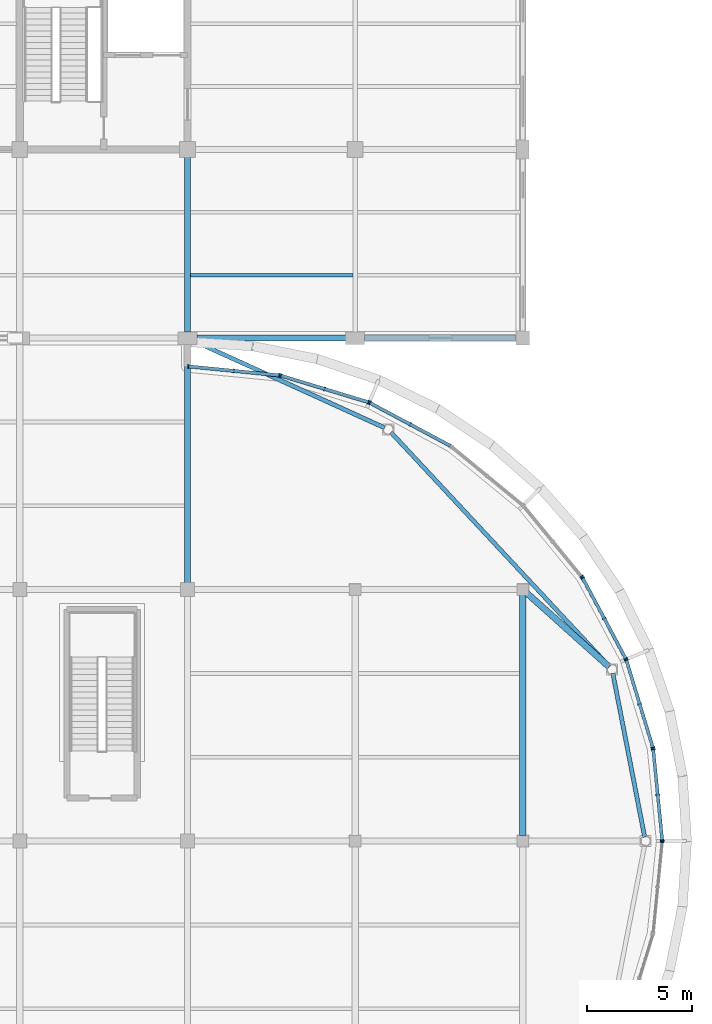
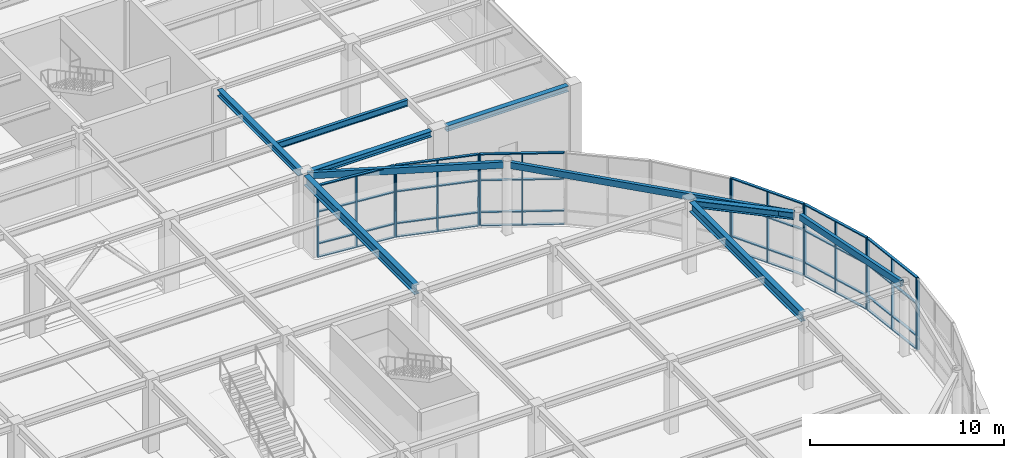
# One storey, part 31 of 72: 43 members, 10 beams, 8 elements without a shape of their own.
"""IFC4 building model written with IfcOpenShell, lengths in metres."""

from ifc_helpers import new_model, si_unit, direction, frame, origin, origin_2d, place, context, subcontext, project, spatial, rectangle, hollow_rectangle, i_section, extrude, material, layer, layer_set, material_profile, profile_set, type_object, element, aggregate, save


model = new_model("IFC4")

# Units and contexts
model_context = context("Model", 3, precision=1e-05, world=origin(), true_north=direction((0.0, 1.0)))
body_context = subcontext(model_context, "Body", "Model", "MODEL_VIEW")
ifc_project = project(units=[si_unit("LENGTHUNIT", "METRE"), si_unit("AREAUNIT", "SQUARE_METRE"), si_unit("VOLUMEUNIT", "CUBIC_METRE"), si_unit("PLANEANGLEUNIT", "RADIAN"), si_unit("MASSUNIT", "GRAM", prefix="KILO")], contexts=[model_context])

# Site, building, storey
site_placement = place(None, origin())
site = spatial("IfcSite", under=ifc_project, at=site_placement, CompositionType="ELEMENT")
building_placement = place(site_placement, origin())
building = spatial("IfcBuilding", under=site, at=building_placement, Name="Keelwater Ferry Terminal", CompositionType="ELEMENT")
storey_placement = place(building_placement, frame((0.0, 0.0, 5.39990234375)))
storey = spatial("IfcBuildingStorey", under=building, at=storey_placement, Name="L01", CompositionType="ELEMENT", Elevation=5.39990234375)

# Curtain wall, member
ifc_material_1 = material(Name="Thermally broken unitised aluminium and triple glass", Category="aluminium")
ifc_layer = layer(ifc_material_1, 0.179931640625)
ifc_layer_set = layer_set([ifc_layer], Name="Thermally broken unitised aluminium and triple glass")
curtain_wall_type = type_object("IfcCurtainWallType", Name="CW-19 Unitised Curtain Wall 4350x4480", PredefinedType="USERDEFINED", material=ifc_layer_set)
curtain_wall_1_placement = place(storey_placement, origin())
curtain_wall_1 = element("IfcCurtainWall", 1, at=curtain_wall_1_placement, inside=storey, type_object=curtain_wall_type, Name="Unitised Curtain Wall CW-L01-132", ObjectType="UNITISED CURTAIN WALL", PredefinedType="USERDEFINED")
ifc_material_2 = material(Name="Aluminium mullion", Category="aluminium")
ifc_material_profile_1 = material_profile(ifc_material_2, rectangle(XDim=0.06494140625, YDim=0.179931640625, at=origin_2d()), Name="CWM-01")
ifc_profile_set_1 = profile_set([ifc_material_profile_1], Name="Aluminium mullion")
member_type_1 = type_object("IfcMemberType", Name="CWM-01 Curtain Mullion 65x180", PredefinedType="MULLION", material=ifc_profile_set_1)
member_1_placement = place(storey_placement, frame((186.64599609375, 65.955078125, 0.0), z_axis=(0.0, 0.0, 1.0), x_axis=(0.098160737969, 0.995170573079, 0.0)))
member_1 = element("IfcMember", 2, at=member_1_placement, type_object=member_type_1, Name="CW-L01-132 Mullion 3", PredefinedType="MULLION", context=body_context, shape_type="SweptSolid", body=[
    extrude(rectangle(XDim=0.06494140625, YDim=0.179931640625, at=origin_2d()), origin(), (0.0, 0.0, 1.0), 4.47998046875),
])
aggregate(curtain_wall_1, [member_1])

# Curtain wall, members
curtain_wall_2_placement = place(storey_placement, origin())
curtain_wall_2 = element("IfcCurtainWall", 3, at=curtain_wall_2_placement, inside=storey, type_object=curtain_wall_type, Name="Unitised Curtain Wall CW-L01-133", ObjectType="UNITISED CURTAIN WALL", PredefinedType="USERDEFINED")
member_2_placement = place(storey_placement, frame((186.64599609375, 66.044921875, 0.0), z_axis=(0.0, 0.0, 1.0), x_axis=(-0.098160737969, 0.995170573079, 0.0)))
member_2 = element("IfcMember", 4, at=member_2_placement, type_object=member_type_1, Name="CW-L01-133 Mullion 1", PredefinedType="MULLION", context=body_context, shape_type="SweptSolid", body=[
    extrude(rectangle(XDim=0.06494140625, YDim=0.179931640625, at=origin_2d()), origin(), (0.0, 0.0, 1.0), 4.47998046875),
])
member_3_placement = place(storey_placement, frame((186.4326171875, 68.20947265625, 0.0), z_axis=(0.0, 0.0, 1.0), x_axis=(-0.098160737969, 0.995170573079, 0.0)))
member_3 = element("IfcMember", 5, at=member_3_placement, type_object=member_type_1, Name="CW-L01-133 Mullion 2", PredefinedType="MULLION", context=body_context, shape_type="SweptSolid", body=[
    extrude(rectangle(XDim=0.06494140625, YDim=0.179931640625, at=origin_2d()), origin(), (0.0, 0.0, 1.0), 4.47998046875),
])
member_4_placement = place(storey_placement, frame((186.218994140625, 70.3740234375, 0.0), z_axis=(0.0, 0.0, 1.0), x_axis=(-0.098160737969, 0.995170573079, 0.0)))
member_4 = element("IfcMember", 6, at=member_4_placement, type_object=member_type_1, Name="CW-L01-133 Mullion 3", PredefinedType="MULLION", context=body_context, shape_type="SweptSolid", body=[
    extrude(rectangle(XDim=0.06494140625, YDim=0.179931640625, at=origin_2d()), origin(), (0.0, 0.0, 1.0), 4.47998046875),
])

curtain_wall_3_placement = place(storey_placement, origin())
curtain_wall_3 = element("IfcCurtainWall", 7, at=curtain_wall_3_placement, inside=storey, type_object=curtain_wall_type, Name="Unitised Curtain Wall CW-L01-134", ObjectType="UNITISED CURTAIN WALL", PredefinedType="USERDEFINED")
member_5_placement = place(storey_placement, frame((186.201904296875, 70.4619140625, 0.0), z_axis=(0.0, 0.0, 1.0), x_axis=(-0.290319989003, 0.956929623319, 0.0)))
member_5 = element("IfcMember", 8, at=member_5_placement, type_object=member_type_1, Name="CW-L01-134 Mullion 1", PredefinedType="MULLION", context=body_context, shape_type="SweptSolid", body=[
    extrude(rectangle(XDim=0.06494140625, YDim=0.179931640625, at=origin_2d()), origin(), (0.0, 0.0, 1.0), 4.47998046875),
])
member_6_placement = place(storey_placement, frame((185.570556640625, 72.54345703125, 0.0), z_axis=(0.0, 0.0, 1.0), x_axis=(-0.290319989003, 0.956929623319, 0.0)))
member_6 = element("IfcMember", 9, at=member_6_placement, type_object=member_type_1, Name="CW-L01-134 Mullion 2", PredefinedType="MULLION", context=body_context, shape_type="SweptSolid", body=[
    extrude(rectangle(XDim=0.06494140625, YDim=0.179931640625, at=origin_2d()), origin(), (0.0, 0.0, 1.0), 4.47998046875),
])
member_7_placement = place(storey_placement, frame((184.93896484375, 74.625, 0.0), z_axis=(0.0, 0.0, 1.0), x_axis=(-0.290319989003, 0.956929623319, 0.0)))
member_7 = element("IfcMember", 10, at=member_7_placement, type_object=member_type_1, Name="CW-L01-134 Mullion 3", PredefinedType="MULLION", context=body_context, shape_type="SweptSolid", body=[
    extrude(rectangle(XDim=0.06494140625, YDim=0.179931640625, at=origin_2d()), origin(), (0.0, 0.0, 1.0), 4.47998046875),
])

curtain_wall_4_placement = place(storey_placement, origin())
curtain_wall_4 = element("IfcCurtainWall", 11, at=curtain_wall_4_placement, inside=storey, type_object=curtain_wall_type, Name="Unitised Curtain Wall CW-L01-135", ObjectType="UNITISED CURTAIN WALL", PredefinedType="USERDEFINED")
member_8_placement = place(storey_placement, frame((184.905029296875, 74.7080078125, 0.0), z_axis=(0.0, 0.0, 1.0), x_axis=(-0.471506749303, 0.881862452632, 0.0)))
member_8 = element("IfcMember", 12, at=member_8_placement, type_object=member_type_1, Name="CW-L01-135 Mullion 1", PredefinedType="MULLION", context=body_context, shape_type="SweptSolid", body=[
    extrude(rectangle(XDim=0.06494140625, YDim=0.179931640625, at=origin_2d()), origin(), (0.0, 0.0, 1.0), 4.47998046875),
])
member_9_placement = place(storey_placement, frame((183.87939453125, 76.6259765625, 0.0), z_axis=(0.0, 0.0, 1.0), x_axis=(-0.471506749303, 0.881862452632, 0.0)))
member_9 = element("IfcMember", 13, at=member_9_placement, type_object=member_type_1, Name="CW-L01-135 Mullion 2", PredefinedType="MULLION", context=body_context, shape_type="SweptSolid", body=[
    extrude(rectangle(XDim=0.06494140625, YDim=0.179931640625, at=origin_2d()), origin(), (0.0, 0.0, 1.0), 4.47998046875),
])
member_10_placement = place(storey_placement, frame((182.85400390625, 78.5439453125, 0.0), z_axis=(0.0, 0.0, 1.0), x_axis=(-0.471506749303, 0.881862452632, 0.0)))
member_10 = element("IfcMember", 14, at=member_10_placement, type_object=member_type_1, Name="CW-L01-135 Mullion 3", PredefinedType="MULLION", context=body_context, shape_type="SweptSolid", body=[
    extrude(rectangle(XDim=0.06494140625, YDim=0.179931640625, at=origin_2d()), origin(), (0.0, 0.0, 1.0), 4.47998046875),
])

# Curtain wall, member
curtain_wall_5_placement = place(storey_placement, origin())
curtain_wall_5 = element("IfcCurtainWall", 15, at=curtain_wall_5_placement, inside=storey, type_object=curtain_wall_type, Name="Unitised Curtain Wall CW-L01-136", ObjectType="UNITISED CURTAIN WALL", PredefinedType="USERDEFINED")
member_11_placement = place(storey_placement, frame((182.803955078125, 78.618896484375, 0.0), z_axis=(0.0, 0.0, 1.0), x_axis=(-0.634376508991, 0.773024220086, 0.0)))
member_11 = element("IfcMember", 16, at=member_11_placement, type_object=member_type_1, Name="CW-L01-136 Mullion 1", PredefinedType="MULLION", context=body_context, shape_type="SweptSolid", body=[
    extrude(rectangle(XDim=0.06494140625, YDim=0.179931640625, at=origin_2d()), origin(), (0.0, 0.0, 1.0), 4.47998046875),
])
aggregate(curtain_wall_5, [member_11])

# Curtain wall, members
curtain_wall_6_placement = place(storey_placement, origin())
curtain_wall_6 = element("IfcCurtainWall", 17, at=curtain_wall_6_placement, inside=storey, type_object=curtain_wall_type, Name="Unitised Curtain Wall CW-L01-138", ObjectType="UNITISED CURTAIN WALL", PredefinedType="USERDEFINED")
member_12_placement = place(storey_placement, frame((174.6259765625, 85.87939453125, 0.0), z_axis=(0.0, 0.0, 1.0), x_axis=(-0.881862452632, 0.471506749303, 0.0)))
member_12 = element("IfcMember", 18, at=member_12_placement, type_object=member_type_1, Name="CW-L01-138 Mullion 2", PredefinedType="MULLION", context=body_context, shape_type="SweptSolid", body=[
    extrude(rectangle(XDim=0.06494140625, YDim=0.179931640625, at=origin_2d()), origin(), (0.0, 0.0, 1.0), 4.47998046875),
])
member_13_placement = place(storey_placement, frame((172.7080078125, 86.905029296875, 0.0), z_axis=(0.0, 0.0, 1.0), x_axis=(-0.881862452632, 0.471506749303, 0.0)))
member_13 = element("IfcMember", 19, at=member_13_placement, type_object=member_type_1, Name="CW-L01-138 Mullion 3", PredefinedType="MULLION", context=body_context, shape_type="SweptSolid", body=[
    extrude(rectangle(XDim=0.06494140625, YDim=0.179931640625, at=origin_2d()), origin(), (0.0, 0.0, 1.0), 4.47998046875),
])

curtain_wall_7_placement = place(storey_placement, origin())
curtain_wall_7 = element("IfcCurtainWall", 20, at=curtain_wall_7_placement, inside=storey, type_object=curtain_wall_type, Name="Unitised Curtain Wall CW-L01-139", ObjectType="UNITISED CURTAIN WALL", PredefinedType="USERDEFINED")
member_14_placement = place(storey_placement, frame((172.625, 86.93896484375, 0.0), z_axis=(0.0, 0.0, 1.0), x_axis=(-0.956929623319, 0.290319989003, 0.0)))
member_14 = element("IfcMember", 21, at=member_14_placement, type_object=member_type_1, Name="CW-L01-139 Mullion 1", PredefinedType="MULLION", context=body_context, shape_type="SweptSolid", body=[
    extrude(rectangle(XDim=0.06494140625, YDim=0.179931640625, at=origin_2d()), origin(), (0.0, 0.0, 1.0), 4.47998046875),
])
member_15_placement = place(storey_placement, frame((170.54345703125, 87.570556640625, 0.0), z_axis=(0.0, 0.0, 1.0), x_axis=(-0.956929623319, 0.290319989003, 0.0)))
member_15 = element("IfcMember", 22, at=member_15_placement, type_object=member_type_1, Name="CW-L01-139 Mullion 2", PredefinedType="MULLION", context=body_context, shape_type="SweptSolid", body=[
    extrude(rectangle(XDim=0.06494140625, YDim=0.179931640625, at=origin_2d()), origin(), (0.0, 0.0, 1.0), 4.47998046875),
])
member_16_placement = place(storey_placement, frame((168.4619140625, 88.201904296875, 0.0), z_axis=(0.0, 0.0, 1.0), x_axis=(-0.956929623319, 0.290319989003, 0.0)))
member_16 = element("IfcMember", 23, at=member_16_placement, type_object=member_type_1, Name="CW-L01-139 Mullion 3", PredefinedType="MULLION", context=body_context, shape_type="SweptSolid", body=[
    extrude(rectangle(XDim=0.06494140625, YDim=0.179931640625, at=origin_2d()), origin(), (0.0, 0.0, 1.0), 4.47998046875),
])

curtain_wall_8_placement = place(storey_placement, origin())
curtain_wall_8 = element("IfcCurtainWall", 24, at=curtain_wall_8_placement, inside=storey, type_object=curtain_wall_type, Name="Unitised Curtain Wall CW-L01-140", ObjectType="UNITISED CURTAIN WALL", PredefinedType="USERDEFINED")
member_17_placement = place(storey_placement, frame((168.3740234375, 88.218994140625, 0.0), z_axis=(0.0, 0.0, 1.0), x_axis=(-0.995170573079, 0.098160737969, 0.0)))
member_17 = element("IfcMember", 25, at=member_17_placement, type_object=member_type_1, Name="CW-L01-140 Mullion 1", PredefinedType="MULLION", context=body_context, shape_type="SweptSolid", body=[
    extrude(rectangle(XDim=0.06494140625, YDim=0.179931640625, at=origin_2d()), origin(), (0.0, 0.0, 1.0), 4.47998046875),
])
member_18_placement = place(storey_placement, frame((166.20947265625, 88.4326171875, 0.0), z_axis=(0.0, 0.0, 1.0), x_axis=(-0.995170573079, 0.098160737969, 0.0)))
member_18 = element("IfcMember", 26, at=member_18_placement, type_object=member_type_1, Name="CW-L01-140 Mullion 2", PredefinedType="MULLION", context=body_context, shape_type="SweptSolid", body=[
    extrude(rectangle(XDim=0.06494140625, YDim=0.179931640625, at=origin_2d()), origin(), (0.0, 0.0, 1.0), 4.47998046875),
])
member_19_placement = place(storey_placement, frame((164.044921875, 88.64599609375, 0.0), z_axis=(0.0, 0.0, 1.0), x_axis=(-0.995170573079, 0.098160737969, 0.0)))
member_19 = element("IfcMember", 27, at=member_19_placement, type_object=member_type_1, Name="CW-L01-140 Mullion 3", PredefinedType="MULLION", context=body_context, shape_type="SweptSolid", body=[
    extrude(rectangle(XDim=0.06494140625, YDim=0.179931640625, at=origin_2d()), origin(), (0.0, 0.0, 1.0), 4.47998046875),
])

# Member
ifc_material_3 = material(Name="Aluminium mullion", Category="aluminium")
ifc_material_profile_2 = material_profile(ifc_material_3, rectangle(XDim=0.159912109375, YDim=0.06494140625, at=origin_2d()), Name="CWT-01")
ifc_profile_set_2 = profile_set([ifc_material_profile_2], Name="Aluminium mullion")
member_type_2 = type_object("IfcMemberType", Name="CWT-01 Curtain Transom 65x160", PredefinedType="USERDEFINED", material=ifc_profile_set_2)
member_20_placement = place(storey_placement, frame((186.64599609375, 66.044921875, 0.0), z_axis=(-0.098158901932, 0.995170754178, 0.0), x_axis=(-0.995170754178, -0.098158901932, 0.0)))
member_20 = element("IfcMember", 28, at=member_20_placement, type_object=member_type_2, Name="CW-L01-133 Transom 1", ObjectType="TRANSOM", PredefinedType="USERDEFINED", context=body_context, shape_type="SweptSolid", body=[
    extrude(rectangle(XDim=0.159912109375, YDim=0.06494140625, at=origin_2d()), origin(), (0.0, 0.0, 1.0), 4.35009765625),
])

member_21_placement = place(storey_placement, frame((186.64599609375, 66.044921875, 0.85009765625), z_axis=(-0.098158901932, 0.995170754178, 0.0), x_axis=(-0.995170754178, -0.098158901932, 0.0)))
member_21 = element("IfcMember", 29, at=member_21_placement, type_object=member_type_2, Name="CW-L01-133 Transom 2", ObjectType="TRANSOM", PredefinedType="USERDEFINED", context=body_context, shape_type="SweptSolid", body=[
    extrude(rectangle(XDim=0.159912109375, YDim=0.06494140625, at=origin_2d()), origin(), (0.0, 0.0, 1.0), 4.35009765625),
])

member_22_placement = place(storey_placement, frame((186.64599609375, 66.044921875, 2.85009765625), z_axis=(-0.098158901932, 0.995170754178, 0.0), x_axis=(-0.995170754178, -0.098158901932, 0.0)))
member_22 = element("IfcMember", 30, at=member_22_placement, type_object=member_type_2, Name="CW-L01-133 Transom 3", ObjectType="TRANSOM", PredefinedType="USERDEFINED", context=body_context, shape_type="SweptSolid", body=[
    extrude(rectangle(XDim=0.159912109375, YDim=0.06494140625, at=origin_2d()), origin(), (0.0, 0.0, 1.0), 4.35009765625),
])

member_23_placement = place(storey_placement, frame((186.64599609375, 66.044921875, 4.47998046875), z_axis=(-0.098158901932, 0.995170754178, 0.0), x_axis=(-0.995170754178, -0.098158901932, 0.0)))
member_23 = element("IfcMember", 31, at=member_23_placement, type_object=member_type_2, Name="CW-L01-133 Transom 4", ObjectType="TRANSOM", PredefinedType="USERDEFINED", context=body_context, shape_type="SweptSolid", body=[
    extrude(rectangle(XDim=0.159912109375, YDim=0.06494140625, at=origin_2d()), origin(), (0.0, 0.0, 1.0), 4.35009765625),
])

aggregate(curtain_wall_2, [member_2, member_3, member_4, member_20, member_21, member_22, member_23])

member_24_placement = place(storey_placement, frame((186.201904296875, 70.4619140625, 0.0), z_axis=(-0.290301756665, 0.956935154583, 0.0), x_axis=(-0.956935154583, -0.290301756665, 0.0)))
member_24 = element("IfcMember", 32, at=member_24_placement, type_object=member_type_2, Name="CW-L01-134 Transom 1", ObjectType="TRANSOM", PredefinedType="USERDEFINED", context=body_context, shape_type="SweptSolid", body=[
    extrude(rectangle(XDim=0.159912109375, YDim=0.06494140625, at=origin_2d()), origin(), (0.0, 0.0, 1.0), 4.350341796875),
])

member_25_placement = place(storey_placement, frame((186.201904296875, 70.4619140625, 0.85009765625), z_axis=(-0.290301756665, 0.956935154583, 0.0), x_axis=(-0.956935154583, -0.290301756665, 0.0)))
member_25 = element("IfcMember", 33, at=member_25_placement, type_object=member_type_2, Name="CW-L01-134 Transom 2", ObjectType="TRANSOM", PredefinedType="USERDEFINED", context=body_context, shape_type="SweptSolid", body=[
    extrude(rectangle(XDim=0.159912109375, YDim=0.06494140625, at=origin_2d()), origin(), (0.0, 0.0, 1.0), 4.350341796875),
])

member_26_placement = place(storey_placement, frame((186.201904296875, 70.4619140625, 2.85009765625), z_axis=(-0.290301756665, 0.956935154583, 0.0), x_axis=(-0.956935154583, -0.290301756665, 0.0)))
member_26 = element("IfcMember", 34, at=member_26_placement, type_object=member_type_2, Name="CW-L01-134 Transom 3", ObjectType="TRANSOM", PredefinedType="USERDEFINED", context=body_context, shape_type="SweptSolid", body=[
    extrude(rectangle(XDim=0.159912109375, YDim=0.06494140625, at=origin_2d()), origin(), (0.0, 0.0, 1.0), 4.350341796875),
])

member_27_placement = place(storey_placement, frame((186.201904296875, 70.4619140625, 4.47998046875), z_axis=(-0.290301756665, 0.956935154583, 0.0), x_axis=(-0.956935154583, -0.290301756665, 0.0)))
member_27 = element("IfcMember", 35, at=member_27_placement, type_object=member_type_2, Name="CW-L01-134 Transom 4", ObjectType="TRANSOM", PredefinedType="USERDEFINED", context=body_context, shape_type="SweptSolid", body=[
    extrude(rectangle(XDim=0.159912109375, YDim=0.06494140625, at=origin_2d()), origin(), (0.0, 0.0, 1.0), 4.350341796875),
])

aggregate(curtain_wall_3, [member_5, member_6, member_7, member_24, member_25, member_26, member_27])

member_28_placement = place(storey_placement, frame((184.905029296875, 74.7080078125, 0.0), z_axis=(-0.471517263122, 0.881856831112, 0.0), x_axis=(-0.881856831112, -0.471517263122, 0.0)))
member_28 = element("IfcMember", 36, at=member_28_placement, type_object=member_type_2, Name="CW-L01-135 Transom 1", ObjectType="TRANSOM", PredefinedType="USERDEFINED", context=body_context, shape_type="SweptSolid", body=[
    extrude(rectangle(XDim=0.159912109375, YDim=0.06494140625, at=origin_2d()), origin(), (0.0, 0.0, 1.0), 4.349853515625),
])

member_29_placement = place(storey_placement, frame((184.905029296875, 74.7080078125, 0.85009765625), z_axis=(-0.471517263122, 0.881856831112, 0.0), x_axis=(-0.881856831112, -0.471517263122, 0.0)))
member_29 = element("IfcMember", 37, at=member_29_placement, type_object=member_type_2, Name="CW-L01-135 Transom 2", ObjectType="TRANSOM", PredefinedType="USERDEFINED", context=body_context, shape_type="SweptSolid", body=[
    extrude(rectangle(XDim=0.159912109375, YDim=0.06494140625, at=origin_2d()), origin(), (0.0, 0.0, 1.0), 4.349853515625),
])

member_30_placement = place(storey_placement, frame((184.905029296875, 74.7080078125, 2.85009765625), z_axis=(-0.471517263122, 0.881856831112, 0.0), x_axis=(-0.881856831112, -0.471517263122, 0.0)))
member_30 = element("IfcMember", 38, at=member_30_placement, type_object=member_type_2, Name="CW-L01-135 Transom 3", ObjectType="TRANSOM", PredefinedType="USERDEFINED", context=body_context, shape_type="SweptSolid", body=[
    extrude(rectangle(XDim=0.159912109375, YDim=0.06494140625, at=origin_2d()), origin(), (0.0, 0.0, 1.0), 4.349853515625),
])

member_31_placement = place(storey_placement, frame((184.905029296875, 74.7080078125, 4.47998046875), z_axis=(-0.471517263122, 0.881856831112, 0.0), x_axis=(-0.881856831112, -0.471517263122, 0.0)))
member_31 = element("IfcMember", 39, at=member_31_placement, type_object=member_type_2, Name="CW-L01-135 Transom 4", ObjectType="TRANSOM", PredefinedType="USERDEFINED", context=body_context, shape_type="SweptSolid", body=[
    extrude(rectangle(XDim=0.159912109375, YDim=0.06494140625, at=origin_2d()), origin(), (0.0, 0.0, 1.0), 4.349853515625),
])

aggregate(curtain_wall_4, [member_8, member_9, member_10, member_28, member_29, member_30, member_31])

member_32_placement = place(storey_placement, frame((176.5439453125, 84.85400390625, 0.0), z_axis=(-0.881856831112, 0.471517263122, 0.0), x_axis=(-0.471517263122, -0.881856831112, 0.0)))
member_32 = element("IfcMember", 40, at=member_32_placement, type_object=member_type_2, Name="CW-L01-138 Transom 1", ObjectType="TRANSOM", PredefinedType="USERDEFINED", context=body_context, shape_type="SweptSolid", body=[
    extrude(rectangle(XDim=0.159912109375, YDim=0.06494140625, at=origin_2d()), origin(), (0.0, 0.0, 1.0), 4.349853515625),
])

member_33_placement = place(storey_placement, frame((176.5439453125, 84.85400390625, 0.85009765625), z_axis=(-0.881856831112, 0.471517263122, 0.0), x_axis=(-0.471517263122, -0.881856831112, 0.0)))
member_33 = element("IfcMember", 41, at=member_33_placement, type_object=member_type_2, Name="CW-L01-138 Transom 2", ObjectType="TRANSOM", PredefinedType="USERDEFINED", context=body_context, shape_type="SweptSolid", body=[
    extrude(rectangle(XDim=0.159912109375, YDim=0.06494140625, at=origin_2d()), origin(), (0.0, 0.0, 1.0), 4.349853515625),
])

member_34_placement = place(storey_placement, frame((176.5439453125, 84.85400390625, 2.85009765625), z_axis=(-0.881856831112, 0.471517263122, 0.0), x_axis=(-0.471517263122, -0.881856831112, 0.0)))
member_34 = element("IfcMember", 42, at=member_34_placement, type_object=member_type_2, Name="CW-L01-138 Transom 3", ObjectType="TRANSOM", PredefinedType="USERDEFINED", context=body_context, shape_type="SweptSolid", body=[
    extrude(rectangle(XDim=0.159912109375, YDim=0.06494140625, at=origin_2d()), origin(), (0.0, 0.0, 1.0), 4.349853515625),
])

member_35_placement = place(storey_placement, frame((176.5439453125, 84.85400390625, 4.47998046875), z_axis=(-0.881856831112, 0.471517263122, 0.0), x_axis=(-0.471517263122, -0.881856831112, 0.0)))
member_35 = element("IfcMember", 43, at=member_35_placement, type_object=member_type_2, Name="CW-L01-138 Transom 4", ObjectType="TRANSOM", PredefinedType="USERDEFINED", context=body_context, shape_type="SweptSolid", body=[
    extrude(rectangle(XDim=0.159912109375, YDim=0.06494140625, at=origin_2d()), origin(), (0.0, 0.0, 1.0), 4.349853515625),
])

aggregate(curtain_wall_6, [member_12, member_13, member_32, member_33, member_34, member_35])

member_36_placement = place(storey_placement, frame((172.625, 86.93896484375, 0.0), z_axis=(-0.956935154583, 0.290301756665, 0.0), x_axis=(-0.290301756665, -0.956935154583, 0.0)))
member_36 = element("IfcMember", 44, at=member_36_placement, type_object=member_type_2, Name="CW-L01-139 Transom 1", ObjectType="TRANSOM", PredefinedType="USERDEFINED", context=body_context, shape_type="SweptSolid", body=[
    extrude(rectangle(XDim=0.159912109375, YDim=0.06494140625, at=origin_2d()), origin(), (0.0, 0.0, 1.0), 4.350341796875),
])

member_37_placement = place(storey_placement, frame((172.625, 86.93896484375, 0.85009765625), z_axis=(-0.956935154583, 0.290301756665, 0.0), x_axis=(-0.290301756665, -0.956935154583, 0.0)))
member_37 = element("IfcMember", 45, at=member_37_placement, type_object=member_type_2, Name="CW-L01-139 Transom 2", ObjectType="TRANSOM", PredefinedType="USERDEFINED", context=body_context, shape_type="SweptSolid", body=[
    extrude(rectangle(XDim=0.159912109375, YDim=0.06494140625, at=origin_2d()), origin(), (0.0, 0.0, 1.0), 4.350341796875),
])

member_38_placement = place(storey_placement, frame((172.625, 86.93896484375, 2.85009765625), z_axis=(-0.956935154583, 0.290301756665, 0.0), x_axis=(-0.290301756665, -0.956935154583, 0.0)))
member_38 = element("IfcMember", 46, at=member_38_placement, type_object=member_type_2, Name="CW-L01-139 Transom 3", ObjectType="TRANSOM", PredefinedType="USERDEFINED", context=body_context, shape_type="SweptSolid", body=[
    extrude(rectangle(XDim=0.159912109375, YDim=0.06494140625, at=origin_2d()), origin(), (0.0, 0.0, 1.0), 4.350341796875),
])

member_39_placement = place(storey_placement, frame((172.625, 86.93896484375, 4.47998046875), z_axis=(-0.956935154583, 0.290301756665, 0.0), x_axis=(-0.290301756665, -0.956935154583, 0.0)))
member_39 = element("IfcMember", 47, at=member_39_placement, type_object=member_type_2, Name="CW-L01-139 Transom 4", ObjectType="TRANSOM", PredefinedType="USERDEFINED", context=body_context, shape_type="SweptSolid", body=[
    extrude(rectangle(XDim=0.159912109375, YDim=0.06494140625, at=origin_2d()), origin(), (0.0, 0.0, 1.0), 4.350341796875),
])

aggregate(curtain_wall_7, [member_14, member_15, member_16, member_36, member_37, member_38, member_39])

member_40_placement = place(storey_placement, frame((168.3740234375, 88.218994140625, 0.0), z_axis=(-0.995170754178, 0.098158901932, 0.0), x_axis=(-0.098158901932, -0.995170754178, 0.0)))
member_40 = element("IfcMember", 48, at=member_40_placement, type_object=member_type_2, Name="CW-L01-140 Transom 1", ObjectType="TRANSOM", PredefinedType="USERDEFINED", context=body_context, shape_type="SweptSolid", body=[
    extrude(rectangle(XDim=0.159912109375, YDim=0.06494140625, at=origin_2d()), origin(), (0.0, 0.0, 1.0), 4.35009765625),
])

member_41_placement = place(storey_placement, frame((168.3740234375, 88.218994140625, 0.85009765625), z_axis=(-0.995170754178, 0.098158901932, 0.0), x_axis=(-0.098158901932, -0.995170754178, 0.0)))
member_41 = element("IfcMember", 49, at=member_41_placement, type_object=member_type_2, Name="CW-L01-140 Transom 2", ObjectType="TRANSOM", PredefinedType="USERDEFINED", context=body_context, shape_type="SweptSolid", body=[
    extrude(rectangle(XDim=0.159912109375, YDim=0.06494140625, at=origin_2d()), origin(), (0.0, 0.0, 1.0), 4.35009765625),
])

member_42_placement = place(storey_placement, frame((168.3740234375, 88.218994140625, 2.85009765625), z_axis=(-0.995170754178, 0.098158901932, 0.0), x_axis=(-0.098158901932, -0.995170754178, 0.0)))
member_42 = element("IfcMember", 50, at=member_42_placement, type_object=member_type_2, Name="CW-L01-140 Transom 3", ObjectType="TRANSOM", PredefinedType="USERDEFINED", context=body_context, shape_type="SweptSolid", body=[
    extrude(rectangle(XDim=0.159912109375, YDim=0.06494140625, at=origin_2d()), origin(), (0.0, 0.0, 1.0), 4.35009765625),
])

member_43_placement = place(storey_placement, frame((168.3740234375, 88.218994140625, 4.47998046875), z_axis=(-0.995170754178, 0.098158901932, 0.0), x_axis=(-0.098158901932, -0.995170754178, 0.0)))
member_43 = element("IfcMember", 51, at=member_43_placement, type_object=member_type_2, Name="CW-L01-140 Transom 4", ObjectType="TRANSOM", PredefinedType="USERDEFINED", context=body_context, shape_type="SweptSolid", body=[
    extrude(rectangle(XDim=0.159912109375, YDim=0.06494140625, at=origin_2d()), origin(), (0.0, 0.0, 1.0), 4.35009765625),
])

aggregate(curtain_wall_8, [member_17, member_18, member_19, member_40, member_41, member_42, member_43])

# Beams
ifc_material_4 = material(Name="Steel S355", Category="steel")
ifc_material_profile_3 = material_profile(ifc_material_4, i_section(OverallWidth=0.300048828125, OverallDepth=0.60009765625, WebThickness=0.015380859375, FlangeThickness=0.030029296875, at=origin_2d()), Name="HEB 600")
ifc_profile_set_3 = profile_set([ifc_material_profile_3], Name="Steel S355")
beam_type_1 = type_object("IfcBeamType", Name="G3 HEB 600", PredefinedType="BEAM", material=ifc_profile_set_3)
beam_1_placement = place(storey_placement, frame((164.0, 78.318115234375, 4.22021484375), z_axis=(0.0, 1.0, 0.0), x_axis=(-1.0, 0.0, 0.0)))
element("IfcBeam", 52, at=beam_1_placement, inside=storey, type_object=beam_type_1, Name="Beam BM-L01-0795", PredefinedType="BEAM", context=body_context, shape_type="SweptSolid", body=[
    extrude(i_section(OverallWidth=0.300048828125, OverallDepth=0.60009765625, WebThickness=0.015380859375, FlangeThickness=0.030029296875, at=origin_2d()), origin(), (0.0, 0.0, 1.0), 11.387939453125),
])
ifc_material_5 = material(Name="Steel S355", Category="steel")
ifc_material_profile_4 = material_profile(ifc_material_5, i_section(OverallWidth=0.300048828125, OverallDepth=0.60009765625, WebThickness=0.015380859375, FlangeThickness=0.030029296875, at=origin_2d()), Name="HEB 600")
ifc_profile_set_4 = profile_set([ifc_material_profile_4], Name="Steel S355")
beam_type_2 = type_object("IfcBeamType", Name="G3E HEB 600", PredefinedType="BEAM", material=ifc_profile_set_4)
beam_2_placement = place(storey_placement, frame((180.0, 66.27001953125, 4.22021484375), z_axis=(0.0, 1.0, 0.0), x_axis=(-1.0, 0.0, 0.0)))
element("IfcBeam", 53, at=beam_2_placement, inside=storey, type_object=beam_type_2, Name="Beam BM-L01-0806", PredefinedType="BEAM", context=body_context, shape_type="SweptSolid", body=[
    extrude(i_section(OverallWidth=0.300048828125, OverallDepth=0.60009765625, WebThickness=0.015380859375, FlangeThickness=0.030029296875, at=origin_2d()), origin(), (0.0, 0.0, 1.0), 11.4599609375),
])
ifc_material_6 = material(Name="Steel S355", Category="steel")
ifc_material_profile_5 = material_profile(ifc_material_6, i_section(OverallWidth=0.300048828125, OverallDepth=0.449951171875, WebThickness=0.013916015625, FlangeThickness=0.02587890625, at=origin_2d()), Name="HEB 450")
ifc_profile_set_5 = profile_set([ifc_material_profile_5], Name="Steel S355")
beam_type_3 = type_object("IfcBeamType", Name="G6 HEB 450", PredefinedType="BEAM", material=ifc_profile_set_5)
beam_3_placement = place(storey_placement, frame((184.116943359375, 74.31201171875, 4.295166015625), z_axis=(-0.74488982883, 0.667187487072, 0.0), x_axis=(-0.667187487072, -0.74488982883, 0.0)))
element("IfcBeam", 54, at=beam_3_placement, inside=storey, type_object=beam_type_3, Name="Beam BM-L01-0978", PredefinedType="BEAM", context=body_context, shape_type="SweptSolid", body=[
    extrude(i_section(OverallWidth=0.300048828125, OverallDepth=0.449951171875, WebThickness=0.013916015625, FlangeThickness=0.02587890625, at=origin_2d()), origin(), (0.0, 0.0, 1.0), 5.2880859375),
])
ifc_material_7 = material(Name="Steel S355", Category="steel")
ifc_material_profile_6 = material_profile(ifc_material_7, i_section(OverallWidth=0.300048828125, OverallDepth=0.39990234375, WebThickness=0.013427734375, FlangeThickness=0.02392578125, at=origin_2d()), Name="HEB 400")
ifc_profile_set_6 = profile_set([ifc_material_profile_6], Name="Steel S355")
beam_type_4 = type_object("IfcBeamType", Name="G7 HEB 400", PredefinedType="BEAM", material=ifc_profile_set_6)
beam_4_placement = place(storey_placement, frame((164.0, 90.2939453125, 4.320068359375), z_axis=(0.0, 1.0, 0.0), x_axis=(-1.0, 0.0, 0.0)))
element("IfcBeam", 55, at=beam_4_placement, inside=storey, type_object=beam_type_4, Name="Beam BM-L01-0796", PredefinedType="BEAM", context=body_context, shape_type="SweptSolid", body=[
    extrude(i_section(OverallWidth=0.300048828125, OverallDepth=0.39990234375, WebThickness=0.013427734375, FlangeThickness=0.02392578125, at=origin_2d()), origin(), (0.0, 0.0, 1.0), 8.338134765625),
])
ifc_material_8 = material(Name="Steel S355", Category="steel")
ifc_material_profile_7 = material_profile(ifc_material_8, i_section(OverallWidth=0.179931640625, OverallDepth=0.39990234375, WebThickness=0.008544921875, FlangeThickness=0.013427734375, at=origin_2d()), Name="IPE 400")
ifc_profile_set_7 = profile_set([ifc_material_profile_7], Name="Steel S355")
beam_type_5 = type_object("IfcBeamType", Name="J5 IPE 400", PredefinedType="JOIST", material=ifc_profile_set_7)
beam_5_placement = place(storey_placement, frame((164.14990234375, 93.0, 4.320068359375), z_axis=(1.0, 0.0, 0.0), x_axis=(0.0, 1.0, 0.0)))
element("IfcBeam", 56, at=beam_5_placement, inside=storey, type_object=beam_type_5, Name="Beam BM-L01-0938", PredefinedType="JOIST", context=body_context, shape_type="SweptSolid", body=[
    extrude(i_section(OverallWidth=0.179931640625, OverallDepth=0.39990234375, WebThickness=0.008544921875, FlangeThickness=0.013427734375, at=origin_2d()), origin(), (0.0, 0.0, 1.0), 7.75),
])
ifc_material_9 = material(Name="Steel S355", Category="steel")
ifc_material_profile_8 = material_profile(ifc_material_9, i_section(OverallWidth=0.300048828125, OverallDepth=0.35009765625, WebThickness=0.010009765625, FlangeThickness=0.017578125, at=origin_2d()), Name="HEA 360")
ifc_profile_set_8 = profile_set([ifc_material_profile_8], Name="Steel S355")
beam_type_6 = type_object("IfcBeamType", Name="SP1E HEA 360", PredefinedType="SPANDREL", material=ifc_profile_set_8)
beam_6_placement = place(storey_placement, frame((164.44091796875, 90.0, 4.34521484375), z_axis=(1.0, 0.0, 0.0), x_axis=(0.0, 1.0, 0.0)))
element("IfcBeam", 57, at=beam_6_placement, inside=storey, type_object=beam_type_6, Name="Beam BM-L01-0682", PredefinedType="SPANDREL", context=body_context, shape_type="SweptSolid", body=[
    extrude(i_section(OverallWidth=0.300048828125, OverallDepth=0.35009765625, WebThickness=0.010009765625, FlangeThickness=0.017578125, at=origin_2d()), origin(), (0.0, 0.0, 1.0), 7.1181640625),
])
beam_7_placement = place(storey_placement, frame((172.44091796875, 90.0, 4.34521484375), z_axis=(1.0, 0.0, 0.0), x_axis=(0.0, 1.0, 0.0)))
element("IfcBeam", 58, at=beam_7_placement, inside=storey, type_object=beam_type_6, Name="Beam BM-L01-0683", PredefinedType="SPANDREL", context=body_context, shape_type="SweptSolid", body=[
    extrude(i_section(OverallWidth=0.300048828125, OverallDepth=0.35009765625, WebThickness=0.010009765625, FlangeThickness=0.017578125, at=origin_2d()), origin(), (0.0, 0.0, 1.0), 7.240966796875),
])
ifc_material_10 = material(Name="Steel S355", Category="steel")
ifc_material_profile_9 = material_profile(ifc_material_10, hollow_rectangle(XDim=0.199951171875, YDim=0.39990234375, WallThickness=0.01611328125, at=origin_2d()), Name="RHS 400x200x16")
ifc_profile_set_9 = profile_set([ifc_material_profile_9], Name="Steel S355")
beam_type_7 = type_object("IfcBeamType", Name="SP3E RHS 400x200x16", PredefinedType="SPANDREL", material=ifc_profile_set_9)
beam_8_placement = place(storey_placement, frame((164.173095703125, 89.9208984375, 4.320068359375), z_axis=(0.910123163328, -0.414337818181, 0.0), x_axis=(0.414337818181, 0.910123163328, 0.0)))
element("IfcBeam", 59, at=beam_8_placement, inside=storey, type_object=beam_type_7, Name="Beam BM-L01-0972", PredefinedType="SPANDREL", context=body_context, shape_type="SweptSolid", body=[
    extrude(hollow_rectangle(XDim=0.199951171875, YDim=0.39990234375, WallThickness=0.01611328125, at=origin_2d()), origin(), (0.0, 0.0, 1.0), 10.1435546875),
])
beam_9_placement = place(storey_placement, frame((173.7080078125, 85.5, 4.320068359375), z_axis=(0.681966371638, -0.731383529999, 0.0), x_axis=(0.731383529999, 0.681966371638, 0.0)))
element("IfcBeam", 60, at=beam_9_placement, inside=storey, type_object=beam_type_7, Name="Beam BM-L01-0973", PredefinedType="SPANDREL", context=body_context, shape_type="SweptSolid", body=[
    extrude(hollow_rectangle(XDim=0.199951171875, YDim=0.39990234375, WallThickness=0.01611328125, at=origin_2d()), origin(), (0.0, 0.0, 1.0), 15.28076171875),
])
beam_10_placement = place(storey_placement, frame((184.294921875, 73.998046875, 4.320068359375), z_axis=(0.190897579934, -0.981609960206, 0.0), x_axis=(0.981609960206, 0.190897579934, 0.0)))
element("IfcBeam", 61, at=beam_10_placement, inside=storey, type_object=beam_type_7, Name="Beam BM-L01-0974", PredefinedType="SPANDREL", context=body_context, shape_type="SweptSolid", body=[
    extrude(hollow_rectangle(XDim=0.199951171875, YDim=0.39990234375, WallThickness=0.01611328125, at=origin_2d()), origin(), (0.0, 0.0, 1.0), 7.957275390625),
])

save(model, "model.ifc")
